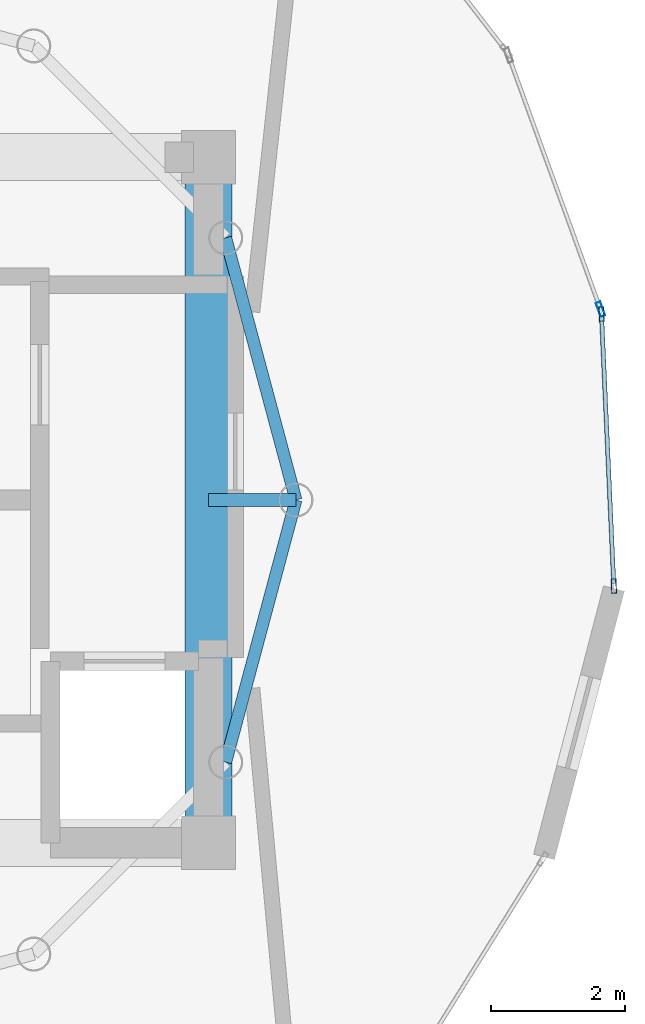
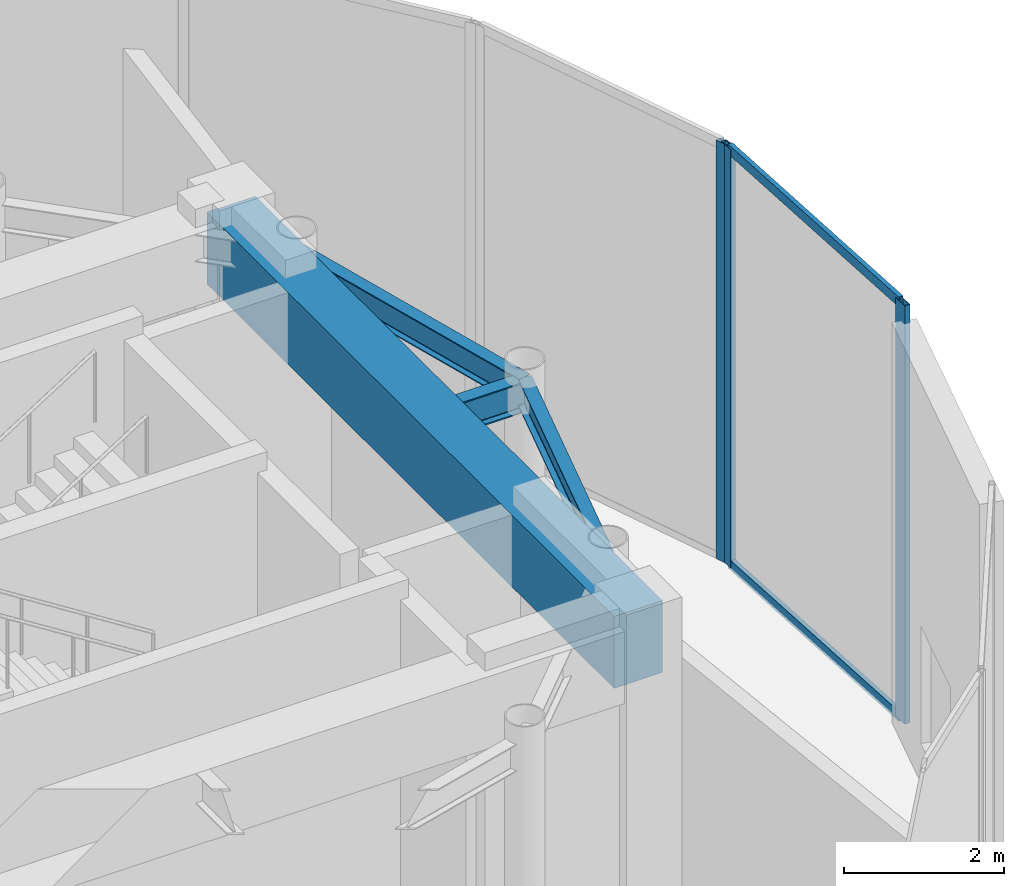
# One storey, part 5 of 10: 5 members, 4 beams, 2 elements without a shape of their own.
"""IFC4 building model written with IfcOpenShell, lengths in metres."""

from ifc_helpers import new_model, si_unit, direction, frame, origin, origin_2d, place, context, subcontext, project, spatial, rectangle, hollow_rectangle, i_section, extrude, source, transform, mapped, material, layer, layer_set, material_profile, profile_set, type_object, element, aggregate, save


model = new_model("IFC4")

# Units and contexts
model_context = context("Model", 3, precision=1e-05, world=origin(), true_north=direction((0.0, 1.0)))
body_context = subcontext(model_context, "Body", "Model", "MODEL_VIEW")
ifc_project = project(units=[si_unit("LENGTHUNIT", "METRE"), si_unit("AREAUNIT", "SQUARE_METRE"), si_unit("VOLUMEUNIT", "CUBIC_METRE"), si_unit("PLANEANGLEUNIT", "RADIAN"), si_unit("MASSUNIT", "GRAM", prefix="KILO")], contexts=[model_context])

# Site, building, storey
site_placement = place(None, origin())
site = spatial("IfcSite", under=ifc_project, at=site_placement, CompositionType="ELEMENT")
building_placement = place(site_placement, origin())
building = spatial("IfcBuilding", under=site, at=building_placement, Name="Solvirekh Grand Hotel", CompositionType="ELEMENT")
storey_placement = place(building_placement, frame((0.0, 0.0, 308.199951171875)))
storey = spatial("IfcBuildingStorey", under=building, at=storey_placement, Name="L79", CompositionType="ELEMENT", Elevation=308.199951171875)

# Beams
ifc_material_1 = material(Name="Concrete C60/75", Category="concrete")
ifc_material_profile_1 = material_profile(ifc_material_1, rectangle(XDim=0.699951171875, YDim=1.10009765625, at=origin_2d()), Name="RC BEAM 700X1100")
ifc_profile_set_1 = profile_set([ifc_material_profile_1], Name="Concrete C60/75")
beam_type_1 = type_object("IfcBeamType", Name="Beam_Core_RC1100", PredefinedType="BEAM", material=ifc_profile_set_1)
beam_1_placement = place(storey_placement, frame((6.5, -5.10009765625, 5.570068359375), z_axis=(0.0, 1.0, 0.0), x_axis=(-1.0, 0.0, 0.0)))
element("IfcBeam", 1, at=beam_1_placement, inside=storey, type_object=beam_type_1, Name="L79 core coupling ring beam 2", PredefinedType="BEAM", context=body_context, shape_type="SweptSolid", body=[
    extrude(rectangle(XDim=0.699951171875, YDim=1.10009765625, at=origin_2d()), origin(), (0.0, 0.0, 1.0), 10.2001953125),
])
ifc_material_2 = material(Name="Steel S355", Category="steel")
ifc_material_profile_2 = material_profile(ifc_material_2, i_section(OverallWidth=0.194091796875, OverallDepth=0.468994140625, WebThickness=0.010986328125, FlangeThickness=0.01904296875, FilletRadius=0.012939453125, at=origin_2d()), Name="W460X106")
ifc_profile_set_2 = profile_set([ifc_material_profile_2], Name="Steel S355")
beam_type_2 = type_object("IfcBeamType", Name="Beam_Radial_W460H", PredefinedType="BEAM", material=ifc_profile_set_2)
beam_2_placement = place(storey_placement, frame((6.5, 0.0, 5.885009765625), z_axis=(1.0, 0.0, 0.0), x_axis=(0.0, 1.0, 0.0)))
element("IfcBeam", 2, at=beam_2_placement, inside=storey, type_object=beam_type_2, Name="L79 radial floor beam R01", PredefinedType="BEAM", context=body_context, shape_type="SweptSolid", body=[
    extrude(i_section(OverallWidth=0.194091796875, OverallDepth=0.468994140625, WebThickness=0.010986328125, FlangeThickness=0.01904296875, FilletRadius=0.012939453125, at=origin_2d()), origin(), (0.0, 0.0, 1.0), 1.300048828125),
])
ifc_material_profile_3 = material_profile(ifc_material_2, i_section(OverallWidth=0.180908203125, OverallDepth=0.4169921875, WebThickness=0.010009765625, FlangeThickness=0.01611328125, FilletRadius=0.011962890625, at=origin_2d()), Name="W410X85")
ifc_profile_set_3 = profile_set([ifc_material_profile_3], Name="Steel S355")
beam_type_3 = type_object("IfcBeamType", Name="Spandrel_Ring_W410", PredefinedType="SPANDREL", material=ifc_profile_set_3)
for number, where, z_axis, x_axis, name in (
    (3, (7.800048828125, 0.0, 5.9111328125), (-0.258863027773, 0.965914040095, 0.0), (-0.965914040095, -0.258863027773, 0.0), "L79 perimeter spandrel beam 1"),
    (4, (6.7548828125, -3.89990234375, 5.9111328125), (0.258863027773, 0.965914040095, 0.0), (-0.965914040095, 0.258863027773, 0.0), "L79 perimeter spandrel beam 12"),
):
    element("IfcBeam", number, at=place(storey_placement, frame(where, z_axis=z_axis, x_axis=x_axis)), inside=storey, type_object=beam_type_3, Name=name, PredefinedType="SPANDREL", context=body_context, shape_type="SweptSolid", body=[
        extrude(i_section(OverallWidth=0.180908203125, OverallDepth=0.4169921875, WebThickness=0.010009765625, FlangeThickness=0.01611328125, FilletRadius=0.011962890625, at=origin_2d()), origin(), (0.0, 0.0, 1.0), 4.03759765625),
    ])

# Curtain wall, members
ifc_material_3 = material(Name="Anodized Bronze Aluminium 6063-T6", Category="aluminium")
ifc_layer = layer(ifc_material_3, 0.219970703125)
ifc_layer_set = layer_set([ifc_layer], Name="Anodized Bronze Aluminium 6063-T6")
curtain_wall_type = type_object("IfcCurtainWallType", Name="CW_Sys6_CrownFacetedPointCW", PredefinedType="NOTDEFINED", material=ifc_layer_set)
curtain_wall_1_placement = place(storey_placement, origin())
curtain_wall_1 = element("IfcCurtainWall", 5, at=curtain_wall_1_placement, inside=storey, type_object=curtain_wall_type, Name="L79 unitised bronze-glass curtain wall CW-L79-C06", PredefinedType="NOTDEFINED")
ifc_material_profile_4 = material_profile(ifc_material_3, hollow_rectangle(XDim=0.074951171875, YDim=0.219970703125, WallThickness=0.006103515625, at=origin_2d()), Name="ALU RHS 220X75X6")
ifc_profile_set_4 = profile_set([ifc_material_profile_4], Name="Anodized Bronze Aluminium 6063-T6")
member_type_1 = type_object("IfcMemberType", Name="CWMullion_Sys6", PredefinedType="MULLION", material=ifc_profile_set_4)
shared_shape_1 = source(origin(), body_context, "Body", "SweptSolid", [
    extrude(hollow_rectangle(XDim=0.074951171875, YDim=0.219970703125, WallThickness=0.006103515625, at=origin_2d()), origin(), (0.0, 0.0, 1.0), 6.400146484375),
])
member_1_placement = place(storey_placement, frame((12.529296875, -1.279541015625, 0.0), z_axis=(0.0, 0.0, 1.0), x_axis=(-0.998972035948, -0.045330689322, 0.0)))
member_1 = element("IfcMember", 6, at=member_1_placement, type_object=member_type_1, Name="U06 mullion 1", PredefinedType="MULLION", context=body_context, shape_type="MappedRepresentation", body=[
    mapped(shared_shape_1, transform((0.0, 0.0, 0.0), x_axis=(1.0, 0.0, 0.0), y_axis=(0.0, 1.0, 0.0), z_axis=(0.0, 0.0, 1.0), scale=1.0)),
])
member_2_placement = place(storey_placement, frame((12.345703125, 2.7666015625, 0.0), z_axis=(0.0, 0.0, 1.0), x_axis=(-0.998972035948, -0.045330689322, 0.0)))
member_2 = element("IfcMember", 7, at=member_2_placement, type_object=member_type_1, Name="U06 mullion 2", PredefinedType="MULLION", context=body_context, shape_type="MappedRepresentation", body=[
    mapped(shared_shape_1, transform((0.0, 0.0, 0.0), x_axis=(1.0, 0.0, 0.0), y_axis=(0.0, 1.0, 0.0), z_axis=(0.0, 0.0, 1.0), scale=1.0)),
])

# Curtain wall, member
curtain_wall_2_placement = place(storey_placement, origin())
curtain_wall_2 = element("IfcCurtainWall", 8, at=curtain_wall_2_placement, inside=storey, type_object=curtain_wall_type, Name="L79 unitised bronze-glass curtain wall CW-L79-C07", PredefinedType="NOTDEFINED")
member_3_placement = place(storey_placement, frame((12.331298828125, 2.83935546875, 0.0), z_axis=(0.0, 0.0, 1.0), x_axis=(-0.940099847814, -0.340899216983, 0.0)))
member_3 = element("IfcMember", 9, at=member_3_placement, type_object=member_type_1, Name="U06 mullion 1", PredefinedType="MULLION", context=body_context, shape_type="MappedRepresentation", body=[
    mapped(shared_shape_1, transform((0.0, 0.0, 0.0), x_axis=(1.0, 0.0, 0.0), y_axis=(0.0, 1.0, 0.0), z_axis=(0.0, 0.0, 1.0), scale=1.0)),
])
aggregate(curtain_wall_2, [member_3])

# Member
ifc_material_profile_5 = material_profile(ifc_material_3, hollow_rectangle(XDim=0.06494140625, YDim=0.14990234375, WallThickness=0.0048828125, at=origin_2d()), Name="ALU RHS 150X65X5")
ifc_profile_set_5 = profile_set([ifc_material_profile_5], Name="Anodized Bronze Aluminium 6063-T6")
member_type_2 = type_object("IfcMemberType", Name="CWTransom_Sys6", PredefinedType="USERDEFINED", material=ifc_profile_set_5)
shared_shape_2 = source(origin(), body_context, "Body", "SweptSolid", [
    extrude(hollow_rectangle(XDim=0.06494140625, YDim=0.14990234375, WallThickness=0.0048828125, at=origin_2d()), origin(), (0.0, 0.0, 1.0), 3.975341796875),
])
member_4_placement = place(storey_placement, frame((12.527587890625, -1.2421875, 0.032470703125), z_axis=(-0.045324086047, 0.998972335565, 0.0), x_axis=(-0.998972335565, -0.045324086047, 0.0)))
member_4 = element("IfcMember", 10, at=member_4_placement, type_object=member_type_2, Name="U06 transom 1.1", ObjectType="TRANSOM", PredefinedType="USERDEFINED", context=body_context, shape_type="MappedRepresentation", body=[
    mapped(shared_shape_2, transform((0.0, 0.0, 0.0), x_axis=(1.0, 0.0, 0.0), y_axis=(0.0, 1.0, 0.0), z_axis=(0.0, 0.0, 1.0), scale=1.0)),
])

member_5_placement = place(storey_placement, frame((12.527587890625, -1.2421875, 6.367431640625), z_axis=(-0.045324086047, 0.998972335565, 0.0), x_axis=(-0.998972335565, -0.045324086047, 0.0)))
member_5 = element("IfcMember", 11, at=member_5_placement, type_object=member_type_2, Name="U06 transom 1.2", ObjectType="TRANSOM", PredefinedType="USERDEFINED", context=body_context, shape_type="MappedRepresentation", body=[
    mapped(shared_shape_2, transform((0.0, 0.0, 0.0), x_axis=(1.0, 0.0, 0.0), y_axis=(0.0, 1.0, 0.0), z_axis=(0.0, 0.0, 1.0), scale=1.0)),
])

aggregate(curtain_wall_1, [member_1, member_2, member_4, member_5])

save(model, "model.ifc")
